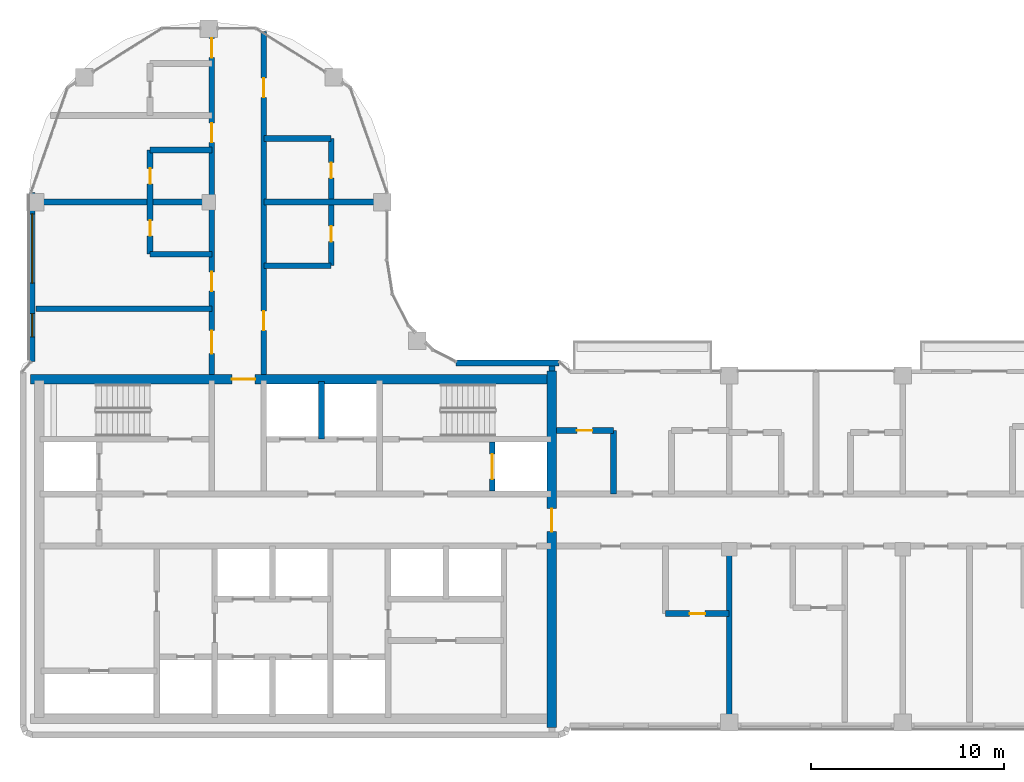
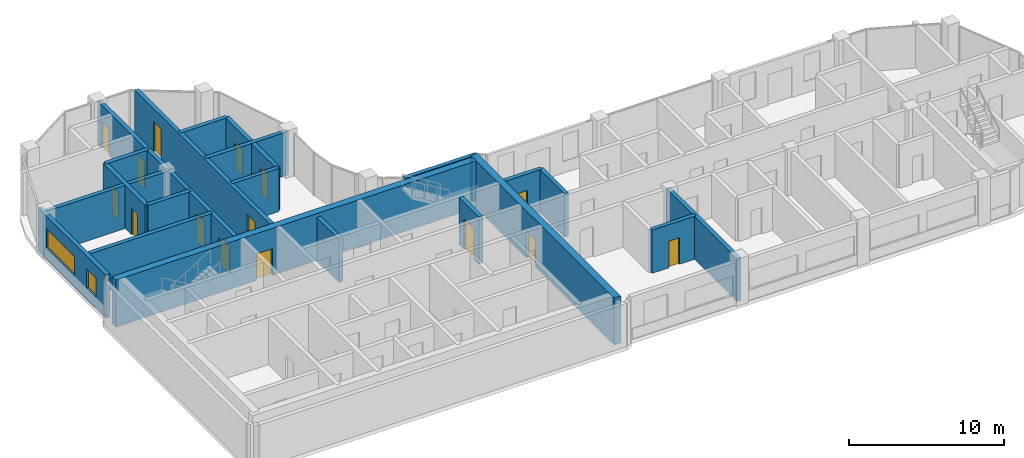
# One storey, part 11 of 19: 22 walls, 15 doors, 2 windows, 17 openings.
"""IFC4 building model written with IfcOpenShell, lengths in metres."""

from ifc_helpers import new_model, si_unit, direction, frame, frame_2d, origin, place, context, subcontext, project, spatial, rectangle, extrude, material, layer, layer_set, type_object, element, fill, save


model = new_model("IFC4")

# Units and contexts
model_context = context("Model", 3, precision=1e-05, world=origin(), true_north=direction((0.0, 1.0)))
body_context = subcontext(model_context, "Body", "Model", "MODEL_VIEW")
ifc_project = project(units=[si_unit("LENGTHUNIT", "METRE"), si_unit("AREAUNIT", "SQUARE_METRE"), si_unit("VOLUMEUNIT", "CUBIC_METRE"), si_unit("PLANEANGLEUNIT", "RADIAN"), si_unit("MASSUNIT", "GRAM", prefix="KILO")], contexts=[model_context])

# Site, building, storey
site_placement = place(None, origin())
site = spatial("IfcSite", under=ifc_project, at=site_placement, CompositionType="ELEMENT")
building_placement = place(site_placement, origin())
building = spatial("IfcBuilding", under=site, at=building_placement, Name="Ogive Portal Towers", CompositionType="ELEMENT")
storey_placement = place(building_placement, frame((0.0, 0.0, 218.0)))
storey = spatial("IfcBuildingStorey", under=building, at=storey_placement, Name="L54", CompositionType="ELEMENT", Elevation=218.0)

# Wall, opening, door
ifc_material_1 = material(Name="Concrete C60/75", Category="concrete")
ifc_layer_1 = layer(ifc_material_1, 0.300048828125)
ifc_layer_set_1 = layer_set([ifc_layer_1], Name="CORE WALL 300 C60")
wall_type_1 = type_object("IfcWallType", Name="CORE WALL 300 C60", PredefinedType="SHEAR", material=ifc_layer_set_1)
wall_1_placement = place(storey_placement, frame((55.199951171875, 33.5, 0.0), z_axis=(0.0, 0.0, 1.0), x_axis=(0.0, 1.0, 0.0)))
wall_1 = element("IfcWall", 1, at=wall_1_placement, inside=storey, type_object=wall_type_1, Name="Core wall X10 L54", PredefinedType="SHEAR", context=body_context, shape_type="SweptSolid", body=[
    extrude(rectangle(XDim=2.550048828125, YDim=0.300048828125, at=frame_2d((1.27490234375, 0.0))), origin(), (0.0, 0.0, 1.0), 3.699951171875),
])
opening_1_placement = place(wall_1_placement, frame((0.625, 0.0, 0.0)))
opening_1 = element("IfcOpeningElement", 2, at=opening_1_placement, cuts=wall_1, Name="Opening D24-019", PredefinedType="OPENING", context=body_context, shape_type="SweptSolid", body=[
    extrude(rectangle(XDim=1.300048828125, YDim=2.39990234375, at=frame_2d((0.64990234375, 1.199951171875))), frame((0.0, 0.16015625, 0.0), z_axis=(0.0, -1.0, 0.0), x_axis=(1.0, 0.0, 0.0)), (0.0, 0.0, 1.0), 0.320068359375),
])
ifc_material_2 = material(Name="Stainless steel", Category="steel")
door_type_1 = type_object("IfcDoorType", Name="DT-LD-1300x2400", OperationType="SLIDING_TO_LEFT", PredefinedType="DOOR", material=ifc_material_2)
door_1_placement = place(opening_1_placement, origin())
door_1 = element("IfcDoor", 3, at=door_1_placement, inside=storey, type_object=door_type_1, Name="Door D24-019", OperationType="SLIDING_TO_LEFT", OverallHeight=2.39990234375, OverallWidth=1.300048828125, PredefinedType="DOOR", context=body_context, shape_type="SweptSolid", body=[
    extrude(rectangle(XDim=1.300048828125, YDim=2.39990234375, at=frame_2d((0.64990234375, 1.199951171875))), frame((0.0, 0.02490234375, 0.0), z_axis=(0.0, -1.0, 0.0), x_axis=(1.0, 0.0, 0.0)), (0.0, 0.0, 1.0), 0.050048828125),
])
fill(opening_1, door_1)

ifc_layer_2 = layer(ifc_material_1, 0.5)
ifc_layer_set_2 = layer_set([ifc_layer_2], Name="CORE WALL 500 C60")
wall_type_2 = type_object("IfcWallType", Name="CORE WALL 500 C60", PredefinedType="SHEAR", material=ifc_layer_set_2)
wall_2_placement = place(storey_placement, frame((58.300048828125, 21.25, 0.0), z_axis=(0.0, 0.0, 1.0), x_axis=(0.0, 1.0, 0.0)))
wall_2 = element("IfcWall", 4, at=wall_2_placement, inside=storey, type_object=wall_type_2, Name="Core wall E L54", PredefinedType="SHEAR", context=body_context, shape_type="SweptSolid", body=[
    extrude(rectangle(XDim=18.5, YDim=0.5, at=frame_2d((9.25, 0.0))), origin(), (0.0, 0.0, 1.0), 3.699951171875),
])
opening_2_placement = place(wall_2_placement, frame((10.14990234375, 0.0, 0.0)))
opening_2 = element("IfcOpeningElement", 5, at=opening_2_placement, cuts=wall_2, Name="Opening D24-010", PredefinedType="OPENING", context=body_context, shape_type="SweptSolid", body=[
    extrude(rectangle(XDim=1.199951171875, YDim=2.10009765625, at=frame_2d((0.60009765625, 1.050048828125))), frame((0.0, 0.260009765625, 0.0), z_axis=(0.0, -1.0, 0.0), x_axis=(1.0, 0.0, 0.0)), (0.0, 0.0, 1.0), 0.52001953125),
])
ifc_material_3 = material(Name="Steel fire door", Category="steel")
door_type_2 = type_object("IfcDoorType", Name="DT-SWING-1200x2100-FD90S", OperationType="SINGLE_SWING_LEFT", PredefinedType="DOOR", material=ifc_material_3)
door_2_placement = place(opening_2_placement, origin())
door_2 = element("IfcDoor", 6, at=door_2_placement, inside=storey, type_object=door_type_2, Name="Door D24-010", OperationType="SINGLE_SWING_LEFT", OverallHeight=2.10009765625, OverallWidth=1.199951171875, PredefinedType="DOOR", context=body_context, shape_type="SweptSolid", body=[
    extrude(rectangle(XDim=1.199951171875, YDim=2.10009765625, at=frame_2d((0.60009765625, 1.050048828125))), frame((0.0, 0.02490234375, 0.0), z_axis=(0.0, -1.0, 0.0), x_axis=(1.0, 0.0, 0.0)), (0.0, 0.0, 1.0), 0.050048828125),
])
fill(opening_2, door_2)

wall_3_placement = place(storey_placement, frame((31.25, 39.300048828125, 0.0), z_axis=(0.0, 0.0, 1.0), x_axis=(1.0, 0.0, 0.0)))
wall_3 = element("IfcWall", 7, at=wall_3_placement, inside=storey, type_object=wall_type_2, Name="Core wall N L54", PredefinedType="SHEAR", context=body_context, shape_type="SweptSolid", body=[
    extrude(rectangle(XDim=27.0, YDim=0.5, at=frame_2d((13.5, 0.0))), origin(), (0.0, 0.0, 1.0), 3.699951171875),
])
opening_3_placement = place(wall_3_placement, frame((10.449951171875, 0.0, 0.0)))
opening_3 = element("IfcOpeningElement", 8, at=opening_3_placement, cuts=wall_3, Name="Opening D24-011", PredefinedType="OPENING", context=body_context, shape_type="SweptSolid", body=[
    extrude(rectangle(XDim=1.199951171875, YDim=2.10009765625, at=frame_2d((0.60009765625, 1.050048828125))), frame((0.0, 0.260009765625, 0.0), z_axis=(0.0, -1.0, 0.0), x_axis=(1.0, 0.0, 0.0)), (0.0, 0.0, 1.0), 0.52001953125),
])
door_3_placement = place(opening_3_placement, origin())
door_3 = element("IfcDoor", 9, at=door_3_placement, inside=storey, type_object=door_type_2, Name="Door D24-011", OperationType="SINGLE_SWING_RIGHT", OverallHeight=2.10009765625, OverallWidth=1.199951171875, PredefinedType="DOOR", context=body_context, shape_type="SweptSolid", body=[
    extrude(rectangle(XDim=1.199951171875, YDim=2.10009765625, at=frame_2d((0.60009765625, 1.050048828125))), frame((0.0, 0.02490234375, 0.0), z_axis=(0.0, -1.0, 0.0), x_axis=(1.0, 0.0, 0.0)), (0.0, 0.0, 1.0), 0.050048828125),
])
fill(opening_3, door_3)

# Wall
ifc_material_4 = material(Name="Limestone cladding on lightweight block wall", Category="masonry")
ifc_layer_3 = layer(ifc_material_4, 0.300048828125)
ifc_layer_set_3 = layer_set([ifc_layer_3], Name="EXTERNAL WALL 300 STONE")
wall_type_3 = type_object("IfcWallType", Name="EXTERNAL WALL 300 STONE", PredefinedType="SOLIDWALL", material=ifc_layer_set_3)
wall_4_placement = place(storey_placement, frame((58.669921875, 40.14990234375, 0.0), z_axis=(0.0, 0.0, 1.0), x_axis=(-1.0, 0.0, 0.0)))
element("IfcWall", 10, at=wall_4_placement, inside=storey, type_object=wall_type_3, Name="A:L54:f01:r0:wall", PredefinedType="SOLIDWALL", context=body_context, shape_type="SweptSolid", body=[
    extrude(rectangle(XDim=5.3408203125, YDim=0.300048828125, at=frame_2d((2.67041015625, 0.0))), origin(), (0.0, 0.0, 1.0), 3.39990234375),
])

# Wall, openings, windows
wall_5_placement = place(storey_placement, frame((31.330078125, 48.986328125, 0.0), z_axis=(0.0, 0.0, 1.0), x_axis=(0.0, -1.0, 0.0)))
wall_5 = element("IfcWall", 11, at=wall_5_placement, inside=storey, type_object=wall_type_3, Name="A:L54:f12:r0:wall", PredefinedType="SOLIDWALL", context=body_context, shape_type="SweptSolid", body=[
    extrude(rectangle(XDim=8.76611328125, YDim=0.300048828125, at=frame_2d((4.383056640625, 0.0))), origin(), (0.0, 0.0, 1.0), 3.39990234375),
])
opening_4_placement = place(wall_5_placement, frame((1.09326171875, 0.0, 0.89990234375)))
opening_4 = element("IfcOpeningElement", 12, at=opening_4_placement, cuts=wall_5, Name="Opening WN12", PredefinedType="OPENING", context=body_context, shape_type="SweptSolid", body=[
    extrude(rectangle(XDim=3.60009765625, YDim=1.5, at=frame_2d((1.800048828125, 0.75))), frame((0.0, 0.16015625, 0.0), z_axis=(0.0, -1.0, 0.0), x_axis=(1.0, 0.0, 0.0)), (0.0, 0.0, 1.0), 0.320068359375),
])
opening_5_placement = place(wall_5_placement, frame((6.2763671875, 0.0, 0.89990234375)))
opening_5 = element("IfcOpeningElement", 13, at=opening_5_placement, cuts=wall_5, Name="Opening WN9", PredefinedType="OPENING", context=body_context, shape_type="SweptSolid", body=[
    extrude(rectangle(XDim=1.199951171875, YDim=1.5, at=frame_2d((0.60009765625, 0.75))), frame((0.0, 0.16015625, 0.0), z_axis=(0.0, -1.0, 0.0), x_axis=(1.0, 0.0, 0.0)), (0.0, 0.0, 1.0), 0.320068359375),
])
ifc_material_5 = material(Name="Glass, clear low-iron insulated glazing", Category="glass")
window_type_1 = type_object("IfcWindowType", Name="WINDOW HOTEL CASEMENT 1200x1500", PartitioningType="DOUBLE_PANEL_VERTICAL", PredefinedType="WINDOW", material=ifc_material_5)
window_1_placement = place(opening_5_placement, origin())
window_1 = element("IfcWindow", 14, at=window_1_placement, inside=storey, type_object=window_type_1, Name="A:L54:f12:r0:w1", OverallHeight=1.5, OverallWidth=1.199951171875, PartitioningType="SINGLE_PANEL", PredefinedType="WINDOW", context=body_context, shape_type="SweptSolid", body=[
    extrude(rectangle(XDim=1.199951171875, YDim=1.5, at=frame_2d((0.60009765625, 0.75))), frame((0.0, 0.030029296875, 0.0), z_axis=(0.0, -1.0, 0.0), x_axis=(1.0, 0.0, 0.0)), (0.0, 0.0, 1.0), 0.06005859375),
])
fill(opening_5, window_1)
window_type_2 = type_object("IfcWindowType", Name="WINDOW RIBBON 3600x1500", PartitioningType="TRIPLE_PANEL_VERTICAL", PredefinedType="WINDOW", material=ifc_material_5)
window_2_placement = place(opening_4_placement, origin())
window_2 = element("IfcWindow", 15, at=window_2_placement, inside=storey, type_object=window_type_2, Name="A:L54:f12:r0:w0", OverallHeight=1.5, OverallWidth=3.60009765625, PartitioningType="SINGLE_PANEL", PredefinedType="WINDOW", context=body_context, shape_type="SweptSolid", body=[
    extrude(rectangle(XDim=3.60009765625, YDim=1.5, at=frame_2d((1.800048828125, 0.75))), frame((0.0, 0.030029296875, 0.0), z_axis=(0.0, -1.0, 0.0), x_axis=(1.0, 0.0, 0.0)), (0.0, 0.0, 1.0), 0.06005859375),
])
fill(opening_4, window_2)

# Wall
ifc_material_6 = material(Name="Gypsum board partition on steel studs", Category="steel")
ifc_layer_4 = layer(ifc_material_6, 0.300048828125)
ifc_layer_set_4 = layer_set([ifc_layer_4], Name="WT-PART-300-EI 120")
wall_type_4 = type_object("IfcWallType", Name="WT-PART-300-EI 120", PredefinedType="PARTITIONING", material=ifc_layer_set_4)
wall_6_placement = place(storey_placement, frame((58.300048828125, 39.75, 0.0), z_axis=(0.0, 0.0, 1.0), x_axis=(0.0, 1.0, 0.0)))
element("IfcWall", 16, at=wall_6_placement, inside=storey, type_object=wall_type_4, Name="Wall L54:wc02", PredefinedType="PARTITIONING", context=body_context, shape_type="SweptSolid", body=[
    extrude(rectangle(XDim=0.239990234375, YDim=0.300048828125, at=frame_2d((0.1201171875, 0.0))), origin(), (0.0, 0.0, 1.0), 3.39990234375),
])

# Wall, opening, door
ifc_layer_5 = layer(ifc_material_6, 0.300048828125)
ifc_layer_set_5 = layer_set([ifc_layer_5], Name="WT-PART-300-EI 60")
wall_type_5 = type_object("IfcWallType", Name="WT-PART-300-EI 60", PredefinedType="PARTITIONING", material=ifc_layer_set_5)
wall_7_placement = place(storey_placement, frame((64.199951171875, 27.14990234375, 0.0), z_axis=(0.0, 0.0, 1.0), x_axis=(1.0, 0.0, 0.0)))
wall_7 = element("IfcWall", 17, at=wall_7_placement, inside=storey, type_object=wall_type_5, Name="Wall L54:w002", PredefinedType="PARTITIONING", context=body_context, shape_type="SweptSolid", body=[
    extrude(rectangle(XDim=3.300048828125, YDim=0.300048828125, at=frame_2d((1.64990234375, 0.0))), origin(), (0.0, 0.0, 1.0), 3.39990234375),
])
opening_6_placement = place(wall_7_placement, frame((1.25, 0.0, 0.0)))
opening_6 = element("IfcOpeningElement", 18, at=opening_6_placement, cuts=wall_7, Name="Opening D24-028", PredefinedType="OPENING", context=body_context, shape_type="SweptSolid", body=[
    extrude(rectangle(XDim=0.800048828125, YDim=2.10009765625, at=frame_2d((0.39990234375, 1.050048828125))), frame((0.0, 0.16015625, 0.0), z_axis=(0.0, -1.0, 0.0), x_axis=(1.0, 0.0, 0.0)), (0.0, 0.0, 1.0), 0.320068359375),
])
door_type_3 = type_object("IfcDoorType", Name="DT-BATH-800x2100-FD60S", OperationType="SINGLE_SWING_LEFT", PredefinedType="DOOR", material=ifc_material_3)
door_4_placement = place(opening_6_placement, origin())
door_4 = element("IfcDoor", 19, at=door_4_placement, inside=storey, type_object=door_type_3, Name="Door D24-028", OperationType="SINGLE_SWING_LEFT", OverallHeight=2.10009765625, OverallWidth=0.800048828125, PredefinedType="DOOR", context=body_context, shape_type="SweptSolid", body=[
    extrude(rectangle(XDim=0.800048828125, YDim=2.10009765625, at=frame_2d((0.39990234375, 1.050048828125))), frame((0.0, 0.02490234375, 0.0), z_axis=(0.0, -1.0, 0.0), x_axis=(1.0, 0.0, 0.0)), (0.0, 0.0, 1.0), 0.050048828125),
])
fill(opening_6, door_4)

wall_8_placement = place(storey_placement, frame((58.550048828125, 36.64990234375, 0.0), z_axis=(0.0, 0.0, 1.0), x_axis=(1.0, 0.0, 0.0)))
wall_8 = element("IfcWall", 20, at=wall_8_placement, inside=storey, type_object=wall_type_5, Name="Wall L54:w011", PredefinedType="PARTITIONING", context=body_context, shape_type="SweptSolid", body=[
    extrude(rectangle(XDim=2.949951171875, YDim=0.300048828125, at=frame_2d((1.47509765625, 0.0))), origin(), (0.0, 0.0, 1.0), 3.39990234375),
])
opening_7_placement = place(wall_8_placement, frame((1.050048828125, 0.0, 0.0)))
opening_7 = element("IfcOpeningElement", 21, at=opening_7_placement, cuts=wall_8, Name="Opening D24-025", PredefinedType="OPENING", context=body_context, shape_type="SweptSolid", body=[
    extrude(rectangle(XDim=0.800048828125, YDim=2.10009765625, at=frame_2d((0.39990234375, 1.050048828125))), frame((0.0, 0.16015625, 0.0), z_axis=(0.0, -1.0, 0.0), x_axis=(1.0, 0.0, 0.0)), (0.0, 0.0, 1.0), 0.320068359375),
])
door_5_placement = place(opening_7_placement, origin())
door_5 = element("IfcDoor", 22, at=door_5_placement, inside=storey, type_object=door_type_3, Name="Door D24-025", OperationType="SINGLE_SWING_LEFT", OverallHeight=2.10009765625, OverallWidth=0.800048828125, PredefinedType="DOOR", context=body_context, shape_type="SweptSolid", body=[
    extrude(rectangle(XDim=0.800048828125, YDim=2.10009765625, at=frame_2d((0.39990234375, 1.050048828125))), frame((0.0, 0.02490234375, 0.0), z_axis=(0.0, -1.0, 0.0), x_axis=(1.0, 0.0, 0.0)), (0.0, 0.0, 1.0), 0.050048828125),
])
fill(opening_7, door_5)

# Walls
wall_9_placement = place(storey_placement, frame((31.530029296875, 42.969970703125, 0.0), z_axis=(0.0, 0.0, 1.0), x_axis=(1.0, 0.0, 0.0)))
element("IfcWall", 23, at=wall_9_placement, inside=storey, type_object=wall_type_5, Name="Wall L54:w014", PredefinedType="PARTITIONING", context=body_context, shape_type="SweptSolid", body=[
    extrude(rectangle(XDim=9.119873046875, YDim=0.300048828125, at=frame_2d((4.56005859375, 0.0))), origin(), (0.0, 0.0, 1.0), 3.39990234375),
])
wall_10_placement = place(storey_placement, frame((43.35009765625, 45.199951171875, 0.0), z_axis=(0.0, 0.0, 1.0), x_axis=(1.0, 0.0, 0.0)))
element("IfcWall", 24, at=wall_10_placement, inside=storey, type_object=wall_type_5, Name="Wall L54:w015", PredefinedType="PARTITIONING", context=body_context, shape_type="SweptSolid", body=[
    extrude(rectangle(XDim=3.5, YDim=0.300048828125, at=frame_2d((1.75, 0.0))), origin(), (0.0, 0.0, 1.0), 3.39990234375),
])
wall_11_placement = place(storey_placement, frame((37.449951171875, 45.800048828125, 0.0), z_axis=(0.0, 0.0, 1.0), x_axis=(1.0, 0.0, 0.0)))
element("IfcWall", 25, at=wall_11_placement, inside=storey, type_object=wall_type_5, Name="Wall L54:w016", PredefinedType="PARTITIONING", context=body_context, shape_type="SweptSolid", body=[
    extrude(rectangle(XDim=3.199951171875, YDim=0.300048828125, at=frame_2d((1.60009765625, 0.0))), origin(), (0.0, 0.0, 1.0), 3.39990234375),
])
wall_12_placement = place(storey_placement, frame((31.530029296875, 48.5, 0.0), z_axis=(0.0, 0.0, 1.0), x_axis=(1.0, 0.0, 0.0)))
element("IfcWall", 26, at=wall_12_placement, inside=storey, type_object=wall_type_5, Name="Wall L54:w017", PredefinedType="PARTITIONING", context=body_context, shape_type="SweptSolid", body=[
    extrude(rectangle(XDim=9.119873046875, YDim=0.300048828125, at=frame_2d((4.56005859375, 0.0))), origin(), (0.0, 0.0, 1.0), 3.39990234375),
])
wall_13_placement = place(storey_placement, frame((43.35009765625, 48.5, 0.0), z_axis=(0.0, 0.0, 1.0), x_axis=(1.0, 0.0, 0.0)))
element("IfcWall", 27, at=wall_13_placement, inside=storey, type_object=wall_type_5, Name="Wall L54:w018", PredefinedType="PARTITIONING", context=body_context, shape_type="SweptSolid", body=[
    extrude(rectangle(XDim=6.119873046875, YDim=0.300048828125, at=frame_2d((3.06005859375, 0.0))), origin(), (0.0, 0.0, 1.0), 3.39990234375),
])
wall_14_placement = place(storey_placement, frame((37.449951171875, 51.199951171875, 0.0), z_axis=(0.0, 0.0, 1.0), x_axis=(1.0, 0.0, 0.0)))
element("IfcWall", 28, at=wall_14_placement, inside=storey, type_object=wall_type_5, Name="Wall L54:w019", PredefinedType="PARTITIONING", context=body_context, shape_type="SweptSolid", body=[
    extrude(rectangle(XDim=3.199951171875, YDim=0.300048828125, at=frame_2d((1.60009765625, 0.0))), origin(), (0.0, 0.0, 1.0), 3.39990234375),
])
wall_15_placement = place(storey_placement, frame((43.35009765625, 51.800048828125, 0.0), z_axis=(0.0, 0.0, 1.0), x_axis=(1.0, 0.0, 0.0)))
element("IfcWall", 29, at=wall_15_placement, inside=storey, type_object=wall_type_5, Name="Wall L54:w020", PredefinedType="PARTITIONING", context=body_context, shape_type="SweptSolid", body=[
    extrude(rectangle(XDim=3.5, YDim=0.300048828125, at=frame_2d((1.75, 0.0))), origin(), (0.0, 0.0, 1.0), 3.39990234375),
])

# Wall, openings, doors
wall_16_placement = place(storey_placement, frame((37.449951171875, 45.800048828125, 0.0), z_axis=(0.0, 0.0, 1.0), x_axis=(0.0, 1.0, 0.0)))
wall_16 = element("IfcWall", 30, at=wall_16_placement, inside=storey, type_object=wall_type_5, Name="Wall L54:w023", PredefinedType="PARTITIONING", context=body_context, shape_type="SweptSolid", body=[
    extrude(rectangle(XDim=5.39990234375, YDim=0.300048828125, at=frame_2d((2.699951171875, 0.0))), origin(), (0.0, 0.0, 1.0), 3.39990234375),
])
opening_8_placement = place(wall_16_placement, frame((0.949951171875, 0.0, 0.0)))
opening_8 = element("IfcOpeningElement", 31, at=opening_8_placement, cuts=wall_16, Name="Opening D24-045", PredefinedType="OPENING", context=body_context, shape_type="SweptSolid", body=[
    extrude(rectangle(XDim=0.800048828125, YDim=2.10009765625, at=frame_2d((0.39990234375, 1.050048828125))), frame((0.0, 0.16015625, 0.0), z_axis=(0.0, -1.0, 0.0), x_axis=(1.0, 0.0, 0.0)), (0.0, 0.0, 1.0), 0.320068359375),
])
opening_9_placement = place(wall_16_placement, frame((3.64990234375, 0.0, 0.0)))
opening_9 = element("IfcOpeningElement", 32, at=opening_9_placement, cuts=wall_16, Name="Opening D24-049", PredefinedType="OPENING", context=body_context, shape_type="SweptSolid", body=[
    extrude(rectangle(XDim=0.800048828125, YDim=2.10009765625, at=frame_2d((0.39990234375, 1.050048828125))), frame((0.0, 0.16015625, 0.0), z_axis=(0.0, -1.0, 0.0), x_axis=(1.0, 0.0, 0.0)), (0.0, 0.0, 1.0), 0.320068359375),
])
door_6_placement = place(opening_8_placement, origin())
door_6 = element("IfcDoor", 33, at=door_6_placement, inside=storey, type_object=door_type_3, Name="Door D24-045", OperationType="SINGLE_SWING_LEFT", OverallHeight=2.10009765625, OverallWidth=0.800048828125, PredefinedType="DOOR", context=body_context, shape_type="SweptSolid", body=[
    extrude(rectangle(XDim=0.800048828125, YDim=2.10009765625, at=frame_2d((0.39990234375, 1.050048828125))), frame((0.0, 0.02490234375, 0.0), z_axis=(0.0, -1.0, 0.0), x_axis=(1.0, 0.0, 0.0)), (0.0, 0.0, 1.0), 0.050048828125),
])
fill(opening_8, door_6)
door_7_placement = place(opening_9_placement, origin())
door_7 = element("IfcDoor", 34, at=door_7_placement, inside=storey, type_object=door_type_3, Name="Door D24-049", OperationType="SINGLE_SWING_LEFT", OverallHeight=2.10009765625, OverallWidth=0.800048828125, PredefinedType="DOOR", context=body_context, shape_type="SweptSolid", body=[
    extrude(rectangle(XDim=0.800048828125, YDim=2.10009765625, at=frame_2d((0.39990234375, 1.050048828125))), frame((0.0, 0.02490234375, 0.0), z_axis=(0.0, -1.0, 0.0), x_axis=(1.0, 0.0, 0.0)), (0.0, 0.0, 1.0), 0.050048828125),
])
fill(opening_9, door_7)

wall_17_placement = place(storey_placement, frame((40.64990234375, 39.550048828125, 0.0), z_axis=(0.0, 0.0, 1.0), x_axis=(0.0, 1.0, 0.0)))
wall_17 = element("IfcWall", 35, at=wall_17_placement, inside=storey, type_object=wall_type_5, Name="Wall L54:w025", PredefinedType="PARTITIONING", context=body_context, shape_type="SweptSolid", body=[
    extrude(rectangle(XDim=17.919921875, YDim=0.300048828125, at=frame_2d((8.9599609375, 0.0))), origin(), (0.0, 0.0, 1.0), 3.39990234375),
])
opening_10_placement = place(wall_17_placement, frame((1.0849609375, 0.0, 0.0)))
opening_10 = element("IfcOpeningElement", 36, at=opening_10_placement, cuts=wall_17, Name="Opening D24-044", PredefinedType="OPENING", context=body_context, shape_type="SweptSolid", body=[
    extrude(rectangle(XDim=1.199951171875, YDim=2.10009765625, at=frame_2d((0.60009765625, 1.050048828125))), frame((0.0, 0.16015625, 0.0), z_axis=(0.0, -1.0, 0.0), x_axis=(1.0, 0.0, 0.0)), (0.0, 0.0, 1.0), 0.320068359375),
])
opening_11_placement = place(wall_17_placement, frame((4.3349609375, 0.0, 0.0)))
opening_11 = element("IfcOpeningElement", 37, at=opening_11_placement, cuts=wall_17, Name="Opening D24-046", PredefinedType="OPENING", context=body_context, shape_type="SweptSolid", body=[
    extrude(rectangle(XDim=1.0, YDim=2.10009765625, at=frame_2d((0.5, 1.050048828125))), frame((0.0, 0.16015625, 0.0), z_axis=(0.0, -1.0, 0.0), x_axis=(1.0, 0.0, 0.0)), (0.0, 0.0, 1.0), 0.320068359375),
])
opening_12_placement = place(wall_17_placement, frame((12.050048828125, 0.0, 0.0)))
opening_12 = element("IfcOpeningElement", 38, at=opening_12_placement, cuts=wall_17, Name="Opening D24-050", PredefinedType="OPENING", context=body_context, shape_type="SweptSolid", body=[
    extrude(rectangle(XDim=1.0, YDim=2.10009765625, at=frame_2d((0.5, 1.050048828125))), frame((0.0, 0.16015625, 0.0), z_axis=(0.0, -1.0, 0.0), x_axis=(1.0, 0.0, 0.0)), (0.0, 0.0, 1.0), 0.320068359375),
])
opening_13_placement = place(wall_17_placement, frame((16.449951171875, 0.0, 0.0)))
opening_13 = element("IfcOpeningElement", 39, at=opening_13_placement, cuts=wall_17, Name="Opening D24-052", PredefinedType="OPENING", context=body_context, shape_type="SweptSolid", body=[
    extrude(rectangle(XDim=1.0, YDim=2.10009765625, at=frame_2d((0.5, 1.050048828125))), frame((0.0, 0.16015625, 0.0), z_axis=(0.0, -1.0, 0.0), x_axis=(1.0, 0.0, 0.0)), (0.0, 0.0, 1.0), 0.320068359375),
])
door_type_4 = type_object("IfcDoorType", Name="DT-ENTRY-1000x2100-FD60S", OperationType="SINGLE_SWING_LEFT", PredefinedType="DOOR", material=ifc_material_3)
door_8_placement = place(opening_11_placement, origin())
door_8 = element("IfcDoor", 40, at=door_8_placement, inside=storey, type_object=door_type_4, Name="Door D24-046", OperationType="SINGLE_SWING_RIGHT", OverallHeight=2.10009765625, OverallWidth=1.0, PredefinedType="DOOR", context=body_context, shape_type="SweptSolid", body=[
    extrude(rectangle(XDim=1.0, YDim=2.10009765625, at=frame_2d((0.5, 1.050048828125))), frame((0.0, 0.02490234375, 0.0), z_axis=(0.0, -1.0, 0.0), x_axis=(1.0, 0.0, 0.0)), (0.0, 0.0, 1.0), 0.050048828125),
])
fill(opening_11, door_8)
door_9_placement = place(opening_12_placement, origin())
door_9 = element("IfcDoor", 41, at=door_9_placement, inside=storey, type_object=door_type_4, Name="Door D24-050", OperationType="SINGLE_SWING_LEFT", OverallHeight=2.10009765625, OverallWidth=1.0, PredefinedType="DOOR", context=body_context, shape_type="SweptSolid", body=[
    extrude(rectangle(XDim=1.0, YDim=2.10009765625, at=frame_2d((0.5, 1.050048828125))), frame((0.0, 0.02490234375, 0.0), z_axis=(0.0, -1.0, 0.0), x_axis=(1.0, 0.0, 0.0)), (0.0, 0.0, 1.0), 0.050048828125),
])
fill(opening_12, door_9)
door_10_placement = place(opening_13_placement, origin())
door_10 = element("IfcDoor", 42, at=door_10_placement, inside=storey, type_object=door_type_4, Name="Door D24-052", OperationType="SINGLE_SWING_RIGHT", OverallHeight=2.10009765625, OverallWidth=1.0, PredefinedType="DOOR", context=body_context, shape_type="SweptSolid", body=[
    extrude(rectangle(XDim=1.0, YDim=2.10009765625, at=frame_2d((0.5, 1.050048828125))), frame((0.0, 0.02490234375, 0.0), z_axis=(0.0, -1.0, 0.0), x_axis=(1.0, 0.0, 0.0)), (0.0, 0.0, 1.0), 0.050048828125),
])
fill(opening_13, door_10)
door_type_5 = type_object("IfcDoorType", Name="DT-ENTRY-1200x2100-FD60S", OperationType="SINGLE_SWING_LEFT", PredefinedType="DOOR", material=ifc_material_3)
door_11_placement = place(opening_10_placement, origin())
door_11 = element("IfcDoor", 43, at=door_11_placement, inside=storey, type_object=door_type_5, Name="Door D24-044", OperationType="SINGLE_SWING_LEFT", OverallHeight=2.10009765625, OverallWidth=1.199951171875, PredefinedType="DOOR", context=body_context, shape_type="SweptSolid", body=[
    extrude(rectangle(XDim=1.199951171875, YDim=2.10009765625, at=frame_2d((0.60009765625, 1.050048828125))), frame((0.0, 0.02490234375, 0.0), z_axis=(0.0, -1.0, 0.0), x_axis=(1.0, 0.0, 0.0)), (0.0, 0.0, 1.0), 0.050048828125),
])
fill(opening_10, door_11)

wall_18_placement = place(storey_placement, frame((43.35009765625, 39.550048828125, 0.0), z_axis=(0.0, 0.0, 1.0), x_axis=(0.0, 1.0, 0.0)))
wall_18 = element("IfcWall", 44, at=wall_18_placement, inside=storey, type_object=wall_type_5, Name="Wall L54:w026", PredefinedType="PARTITIONING", context=body_context, shape_type="SweptSolid", body=[
    extrude(rectangle(XDim=17.796875, YDim=0.300048828125, at=frame_2d((8.8984375, 0.0))), origin(), (0.0, 0.0, 1.0), 3.39990234375),
])
opening_14_placement = place(wall_18_placement, frame((2.300048828125, 0.0, 0.0)))
opening_14 = element("IfcOpeningElement", 45, at=opening_14_placement, cuts=wall_18, Name="Opening D24-043", PredefinedType="OPENING", context=body_context, shape_type="SweptSolid", body=[
    extrude(rectangle(XDim=1.0, YDim=2.39990234375, at=frame_2d((0.5, 1.199951171875))), frame((0.0, 0.16015625, 0.0), z_axis=(0.0, -1.0, 0.0), x_axis=(1.0, 0.0, 0.0)), (0.0, 0.0, 1.0), 0.320068359375),
])
opening_15_placement = place(wall_18_placement, frame((14.383056640625, 0.0, 0.0)))
opening_15 = element("IfcOpeningElement", 46, at=opening_15_placement, cuts=wall_18, Name="Opening D24-048", PredefinedType="OPENING", context=body_context, shape_type="SweptSolid", body=[
    extrude(rectangle(XDim=1.0, YDim=2.39990234375, at=frame_2d((0.5, 1.199951171875))), frame((0.0, 0.16015625, 0.0), z_axis=(0.0, -1.0, 0.0), x_axis=(1.0, 0.0, 0.0)), (0.0, 0.0, 1.0), 0.320068359375),
])
door_type_6 = type_object("IfcDoorType", Name="DT-ENTRY-1000x2400-FD60S", OperationType="SINGLE_SWING_LEFT", PredefinedType="DOOR", material=ifc_material_3)
door_12_placement = place(opening_14_placement, origin())
door_12 = element("IfcDoor", 47, at=door_12_placement, inside=storey, type_object=door_type_6, Name="Door D24-043", OperationType="SINGLE_SWING_RIGHT", OverallHeight=2.39990234375, OverallWidth=1.0, PredefinedType="DOOR", context=body_context, shape_type="SweptSolid", body=[
    extrude(rectangle(XDim=1.0, YDim=2.39990234375, at=frame_2d((0.5, 1.199951171875))), frame((0.0, 0.02490234375, 0.0), z_axis=(0.0, -1.0, 0.0), x_axis=(1.0, 0.0, 0.0)), (0.0, 0.0, 1.0), 0.050048828125),
])
fill(opening_14, door_12)
door_13_placement = place(opening_15_placement, origin())
door_13 = element("IfcDoor", 48, at=door_13_placement, inside=storey, type_object=door_type_6, Name="Door D24-048", OperationType="SINGLE_SWING_LEFT", OverallHeight=2.39990234375, OverallWidth=1.0, PredefinedType="DOOR", context=body_context, shape_type="SweptSolid", body=[
    extrude(rectangle(XDim=1.0, YDim=2.39990234375, at=frame_2d((0.5, 1.199951171875))), frame((0.0, 0.02490234375, 0.0), z_axis=(0.0, -1.0, 0.0), x_axis=(1.0, 0.0, 0.0)), (0.0, 0.0, 1.0), 0.050048828125),
])
fill(opening_15, door_13)

wall_19_placement = place(storey_placement, frame((46.85009765625, 45.199951171875, 0.0), z_axis=(0.0, 0.0, 1.0), x_axis=(0.0, 1.0, 0.0)))
wall_19 = element("IfcWall", 49, at=wall_19_placement, inside=storey, type_object=wall_type_5, Name="Wall L54:w027", PredefinedType="PARTITIONING", context=body_context, shape_type="SweptSolid", body=[
    extrude(rectangle(XDim=6.60009765625, YDim=0.300048828125, at=frame_2d((3.300048828125, 0.0))), origin(), (0.0, 0.0, 1.0), 3.39990234375),
])
opening_16_placement = place(wall_19_placement, frame((1.25, 0.0, 0.0)))
opening_16 = element("IfcOpeningElement", 50, at=opening_16_placement, cuts=wall_19, Name="Opening D24-042", PredefinedType="OPENING", context=body_context, shape_type="SweptSolid", body=[
    extrude(rectangle(XDim=0.800048828125, YDim=2.10009765625, at=frame_2d((0.39990234375, 1.050048828125))), frame((0.0, 0.16015625, 0.0), z_axis=(0.0, -1.0, 0.0), x_axis=(1.0, 0.0, 0.0)), (0.0, 0.0, 1.0), 0.320068359375),
])
opening_17_placement = place(wall_19_placement, frame((4.550048828125, 0.0, 0.0)))
opening_17 = element("IfcOpeningElement", 51, at=opening_17_placement, cuts=wall_19, Name="Opening D24-047", PredefinedType="OPENING", context=body_context, shape_type="SweptSolid", body=[
    extrude(rectangle(XDim=0.800048828125, YDim=2.10009765625, at=frame_2d((0.39990234375, 1.050048828125))), frame((0.0, 0.16015625, 0.0), z_axis=(0.0, -1.0, 0.0), x_axis=(1.0, 0.0, 0.0)), (0.0, 0.0, 1.0), 0.320068359375),
])
door_14_placement = place(opening_16_placement, origin())
door_14 = element("IfcDoor", 52, at=door_14_placement, inside=storey, type_object=door_type_3, Name="Door D24-042", OperationType="SINGLE_SWING_LEFT", OverallHeight=2.10009765625, OverallWidth=0.800048828125, PredefinedType="DOOR", context=body_context, shape_type="SweptSolid", body=[
    extrude(rectangle(XDim=0.800048828125, YDim=2.10009765625, at=frame_2d((0.39990234375, 1.050048828125))), frame((0.0, 0.02490234375, 0.0), z_axis=(0.0, -1.0, 0.0), x_axis=(1.0, 0.0, 0.0)), (0.0, 0.0, 1.0), 0.050048828125),
])
fill(opening_16, door_14)
door_15_placement = place(opening_17_placement, origin())
door_15 = element("IfcDoor", 53, at=door_15_placement, inside=storey, type_object=door_type_3, Name="Door D24-047", OperationType="SINGLE_SWING_RIGHT", OverallHeight=2.10009765625, OverallWidth=0.800048828125, PredefinedType="DOOR", context=body_context, shape_type="SweptSolid", body=[
    extrude(rectangle(XDim=0.800048828125, YDim=2.10009765625, at=frame_2d((0.39990234375, 1.050048828125))), frame((0.0, 0.02490234375, 0.0), z_axis=(0.0, -1.0, 0.0), x_axis=(1.0, 0.0, 0.0)), (0.0, 0.0, 1.0), 0.050048828125),
])
fill(opening_17, door_15)

# Walls
wall_20_placement = place(storey_placement, frame((61.5, 33.35009765625, 0.0), z_axis=(0.0, 0.0, 1.0), x_axis=(0.0, 1.0, 0.0)))
element("IfcWall", 54, at=wall_20_placement, inside=storey, type_object=wall_type_5, Name="Wall L54:w028", PredefinedType="PARTITIONING", context=body_context, shape_type="SweptSolid", body=[
    extrude(rectangle(XDim=3.2998046875, YDim=0.300048828125, at=frame_2d((1.64990234375, 0.0))), origin(), (0.0, 0.0, 1.0), 3.39990234375),
])
wall_21_placement = place(storey_placement, frame((67.5, 21.530029296875, 0.0), z_axis=(0.0, 0.0, 1.0), x_axis=(0.0, 1.0, 0.0)))
element("IfcWall", 55, at=wall_21_placement, inside=storey, type_object=wall_type_5, Name="Wall L54:w031", PredefinedType="PARTITIONING", context=body_context, shape_type="SweptSolid", body=[
    extrude(rectangle(XDim=9.119873046875, YDim=0.300048828125, at=frame_2d((4.56005859375, 0.0))), origin(), (0.0, 0.0, 1.0), 3.39990234375),
])
ifc_material_7 = material(Name="Concrete C40/50", Category="concrete")
ifc_layer_6 = layer(ifc_material_7, 0.300048828125)
ifc_layer_set_6 = layer_set([ifc_layer_6], Name="WT-SHAFT-300")
wall_type_6 = type_object("IfcWallType", Name="WT-SHAFT-300", PredefinedType="SOLIDWALL", material=ifc_layer_set_6)
wall_22_placement = place(storey_placement, frame((46.35009765625, 36.199951171875, 0.0), z_axis=(0.0, 0.0, 1.0), x_axis=(0.0, 1.0, 0.0)))
element("IfcWall", 56, at=wall_22_placement, inside=storey, type_object=wall_type_6, Name="Wall pw:009:L54", PredefinedType="SOLIDWALL", context=body_context, shape_type="SweptSolid", body=[
    extrude(rectangle(XDim=3.0, YDim=0.300048828125, at=frame_2d((1.5, 0.0))), origin(), (0.0, 0.0, 1.0), 3.39990234375),
])

save(model, "model.ifc")
